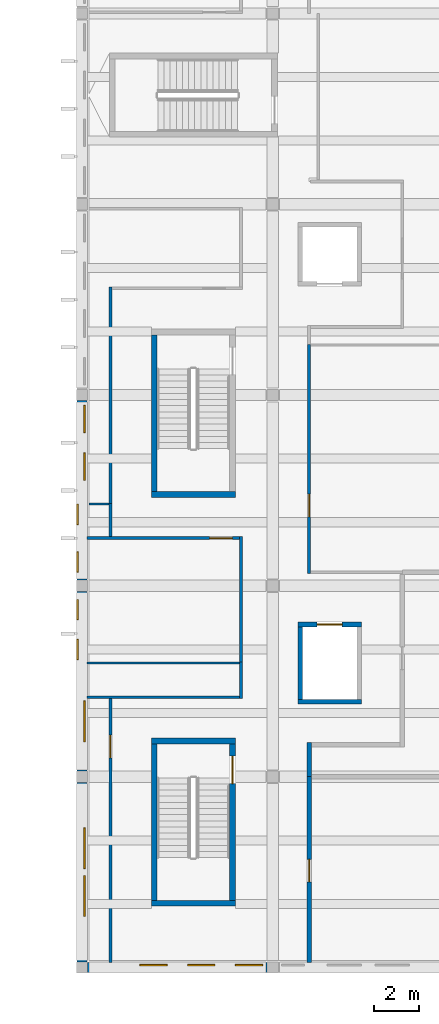
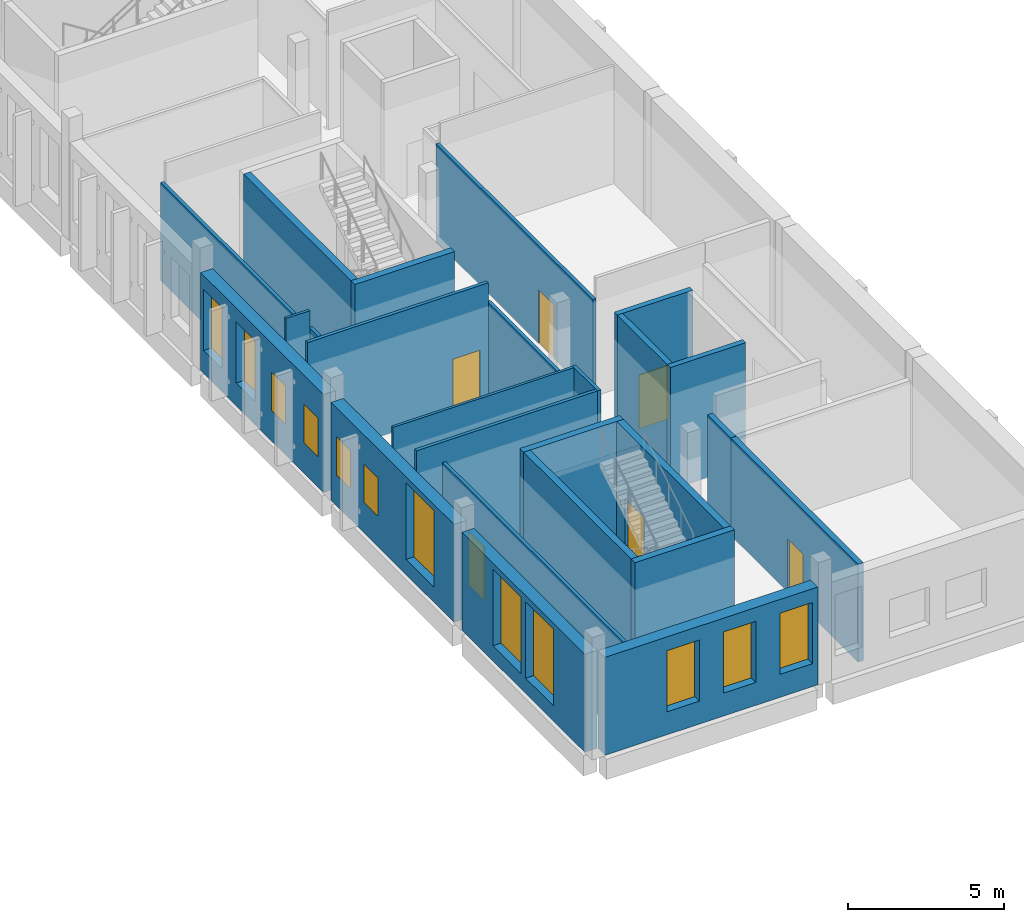
# One storey, part 15 of 79: 25 walls, 12 windows, 6 doors, 18 openings.
"""IFC4 building model written with IfcOpenShell, lengths in metres."""

import ifcopenshell
import ifcopenshell.guid

model = None  # the IFC model being written
_history = None  # IfcOwnerHistory: only IFC2X3 demands one
_inside = {}  # id of a spatial element -> (the spatial element, [elements in it])
_under = {}  # id of a project, library or spatial element -> (it, [spatial elements below it])
_declared = {}  # id of a project -> (the project, [libraries it declares])
_typed = {}  # id of a type object -> (the type object, [elements of that type])
_made_of = {}  # id of a material, layer set ... -> (it, [elements and type objects made of it])


def new_model(schema):
    """Start an empty IFC model of exactly this schema.

    Asked for "IFC4X3", IfcOpenShell would pick the latest addendum, in which some entities
    have other attributes; the version numbers below select the first issue.
    IFC2X3 requires an IfcOwnerHistory on every rooted entity: one is made here for all.
    """
    global model, _history
    if schema == "IFC4X3":
        model = ifcopenshell.file(schema_version=(4, 3, 0, 0))
    else:
        model = ifcopenshell.file(schema=schema)
    _inside.clear()
    _under.clear()
    _declared.clear()
    _typed.clear()
    _made_of.clear()
    _history = None
    if model.schema == "IFC2X3":
        org = make("IfcOrganization", Name="unknown")
        user = make(
            "IfcPersonAndOrganization",
            ThePerson=make("IfcPerson", FamilyName="unknown"),
            TheOrganization=org,
        )
        app = make(
            "IfcApplication",
            ApplicationDeveloper=org,
            Version="unknown",
            ApplicationFullName="unknown",
            ApplicationIdentifier="unknown",
        )
        _history = make(
            "IfcOwnerHistory",
            OwningUser=user,
            OwningApplication=app,
            ChangeAction="ADDED",
            CreationDate=0,
        )
    return model


def make(cls, **values):
    """One entity of the class cls with the attributes given. An attribute that is None is left unset."""
    return model.create_entity(
        cls, **{name: value for name, value in values.items() if value is not None}
    )


def rooted(cls, **values):
    """An entity with a GlobalId (a new one), such as an element, a storey or a relation."""
    return make(cls, GlobalId=ifcopenshell.guid.new(), OwnerHistory=_history, **values)


def si_unit(unit_type, name, prefix=None):
    """IfcSIUnit, for example si_unit("LENGTHUNIT", "METRE", prefix="MILLI")."""
    return make("IfcSIUnit", UnitType=unit_type, Prefix=prefix, Name=name)


def assignment(units):
    """IfcUnitAssignment: the units of a project."""
    return None if units is None else make("IfcUnitAssignment", Units=units)


def point(xyz):
    """IfcCartesianPoint."""
    return None if xyz is None else make("IfcCartesianPoint", Coordinates=xyz)


def direction(xyz):
    """IfcDirection."""
    return None if xyz is None else make("IfcDirection", DirectionRatios=xyz)


def frame(location, z_axis=None, x_axis=None):
    """IfcAxis2Placement3D, a coordinate frame: its origin and axes. An axis left out is left unset."""
    return make(
        "IfcAxis2Placement3D",
        Location=point(location),
        Axis=direction(z_axis),
        RefDirection=direction(x_axis),
    )


def frame_2d(location, x_axis=None):
    """IfcAxis2Placement2D, a coordinate frame in the plane: its origin and x axis."""
    return make(
        "IfcAxis2Placement2D", Location=point(location), RefDirection=direction(x_axis)
    )


def origin():
    """The frame at (0, 0, 0) with its axes left unset."""
    return frame((0.0, 0.0, 0.0))


def place(relative_to, where):
    """IfcLocalPlacement: puts the frame where relative to a parent placement (None: the world)."""
    return make(
        "IfcLocalPlacement", PlacementRelTo=relative_to, RelativePlacement=where
    )


def context(
    kind, dimensions, precision=None, world=None, true_north=None, identifier=None
):
    """IfcGeometricRepresentationContext, for example the 3D "Model" context."""
    return make(
        "IfcGeometricRepresentationContext",
        ContextIdentifier=identifier,
        ContextType=kind,
        CoordinateSpaceDimension=dimensions,
        Precision=precision,
        WorldCoordinateSystem=world,
        TrueNorth=true_north,
    )


def subcontext(parent, identifier, kind, view, scale=None):
    """IfcGeometricRepresentationSubContext, for example "Body" below "Model"."""
    return make(
        "IfcGeometricRepresentationSubContext",
        ContextIdentifier=identifier,
        ContextType=kind,
        ParentContext=parent,
        TargetScale=scale,
        TargetView=view,
    )


def project(units=None, contexts=None):
    """IfcProject with its units and contexts."""
    return rooted(
        "IfcProject",
        Name="project",
        RepresentationContexts=contexts,
        UnitsInContext=assignment(units),
    )


def spatial(cls, under=None, at=None, **own):
    """A site, building, storey or space (cls), placed at a placement, below another one or the project."""
    s = rooted(cls, ObjectPlacement=at, **own)
    if under is not None:
        _under.setdefault(under.id(), (under, []))[1].append(s)
    return s


def profile(cls, at=None, kind="AREA", **sizes):
    """A parametric profile (cls). Its sizes go by their IFC names, for example OverallWidth=200.0."""
    return make(cls, ProfileType=kind, Position=at, **sizes)


def rectangle(**sizes):
    """IfcRectangleProfileDef."""
    return profile("IfcRectangleProfileDef", **sizes)


def extrude(swept, where, along, depth):
    """IfcExtrudedAreaSolid: the profile swept, set in the frame where, extruded along a direction by depth."""
    return make(
        "IfcExtrudedAreaSolid",
        SweptArea=swept,
        Position=where,
        ExtrudedDirection=direction(along),
        Depth=depth,
    )


def shape(context_of_items, identifier, shape_type, items):
    """IfcShapeRepresentation: the items that make up one representation, for example the "Body"."""
    return make(
        "IfcShapeRepresentation",
        ContextOfItems=context_of_items,
        RepresentationIdentifier=identifier,
        RepresentationType=shape_type,
        Items=items,
    )


def material(Name=None, Category=None):
    """IfcMaterial."""
    return make("IfcMaterial", Name=Name, Category=Category)


def layer(
    of_material, thickness, ventilated=None, Name=None, Category=None, Priority=None
):
    """IfcMaterialLayer: one layer of a wall or slab, of a material (None: an air gap)."""
    return make(
        "IfcMaterialLayer",
        Material=of_material,
        LayerThickness=thickness,
        IsVentilated=ventilated,
        Name=Name,
        Category=Category,
        Priority=Priority,
    )


def layer_set(layers, Name=None):
    """IfcMaterialLayerSet."""
    return make("IfcMaterialLayerSet", MaterialLayers=layers, LayerSetName=Name)


def made_of(thing, what):
    """Note that an element or type object is made of a material, layer set ...; save() writes the relation."""
    if what is not None:
        _made_of.setdefault(what.id(), (what, []))[1].append(thing)
    return thing


def type_object(cls, material=None, **own):
    """A type object (cls), such as IfcWallType, which elements share."""
    return made_of(rooted(cls, **own), material)


def element(
    cls,
    number,
    at=None,
    inside=None,
    cuts=None,
    type_object=None,
    material=None,
    context=None,
    identifier="Body",
    shape_type=None,
    held_by="IfcProductDefinitionShape",
    body=None,
    shapes=None,
    **own,
):
    """One element of the class cls, such as IfcWall. Its Tag is "e" and its number.

    at: its placement. inside: the storey or other place that contains it. cuts: it is an
    opening in that element (IfcRelVoidsElement). A single representation is given by context,
    identifier, shape_type and body (its items); several are given by shapes. held_by: the class
    of the entity that holds the representations. save() writes the other relations.
    """
    e = rooted(cls, Tag="e%d" % number, ObjectPlacement=at, **own)
    if body is not None:
        shapes = [shape(context, identifier, shape_type, body)]
    if shapes is not None:
        e.Representation = make(held_by, Representations=shapes)
    if inside is not None:
        _inside.setdefault(inside.id(), (inside, []))[1].append(e)
    if cuts is not None:
        rooted(
            "IfcRelVoidsElement", RelatingBuildingElement=cuts, RelatedOpeningElement=e
        )
    if type_object is not None:
        _typed.setdefault(type_object.id(), (type_object, []))[1].append(e)
    return made_of(e, material)


def fill(opening, filler):
    """IfcRelFillsElement: the door or window that sits in an opening."""
    return rooted(
        "IfcRelFillsElement",
        RelatingOpeningElement=opening,
        RelatedBuildingElement=filler,
    )


def aggregate(whole, parts):
    """IfcRelAggregates: a whole, such as a stair, and the parts it consists of."""
    return rooted("IfcRelAggregates", RelatingObject=whole, RelatedObjects=parts)


def save(model, path):
    """Write the relations noted so far, then the file.

    IfcRelAggregates (storeys below a building ...), IfcRelContainedInSpatialStructure (elements
    in a storey), IfcRelDefinesByType, IfcRelAssociatesMaterial and IfcRelDeclares: one each for
    every whole, place, type object, material and project.
    """
    for whole, parts in _under.values():
        aggregate(whole, parts)
    for where, things in _inside.values():
        rooted(
            "IfcRelContainedInSpatialStructure",
            RelatedElements=things,
            RelatingStructure=where,
        )
    for kind, things in _typed.values():
        rooted("IfcRelDefinesByType", RelatedObjects=things, RelatingType=kind)
    for what, things in _made_of.values():
        rooted("IfcRelAssociatesMaterial", RelatedObjects=things, RelatingMaterial=what)
    for by, libraries in _declared.values():
        rooted("IfcRelDeclares", RelatingContext=by, RelatedDefinitions=libraries)
    model.write(path)


model = new_model("IFC4")

# Units and contexts
model_context = context("Model", 3, precision=1e-05, world=origin(), true_north=direction((0.0, 1.0)))
body_context = subcontext(model_context, "Body", "Model", "MODEL_VIEW")
ifc_project = project(units=[si_unit("LENGTHUNIT", "METRE"), si_unit("AREAUNIT", "SQUARE_METRE"), si_unit("VOLUMEUNIT", "CUBIC_METRE"), si_unit("PLANEANGLEUNIT", "RADIAN"), si_unit("MASSUNIT", "GRAM", prefix="KILO")], contexts=[model_context])

# Site, building, storey
site_placement = place(None, origin())
site = spatial("IfcSite", under=ifc_project, at=site_placement, CompositionType="ELEMENT")
building_placement = place(site_placement, origin())
building = spatial("IfcBuilding", under=site, at=building_placement, Name="Larchfold Concert Hall", CompositionType="ELEMENT")
storey_placement = place(building_placement, frame((0.0, 0.0, 14.39990234375)))
storey = spatial("IfcBuildingStorey", under=building, at=storey_placement, Name="L03", CompositionType="ELEMENT", Elevation=14.39990234375)

# Wall, opening, door
ifc_material_1 = material(Name="Plasterboard partition on steel studs", Category="steel")
ifc_layer_1 = layer(ifc_material_1, 0.199951171875)
ifc_layer_set_1 = layer_set([ifc_layer_1], Name="Plasterboard partition on steel studs")
wall_type_1 = type_object("IfcWallType", Name="Acoustic partition 200", PredefinedType="PARTITIONING", material=ifc_layer_set_1)
wall_1_placement = place(storey_placement, frame((94.60009765625, 0.8251953125, 0.0), z_axis=(0.0, 0.0, 1.0), x_axis=(0.0, 1.0, 0.0)))
wall_1 = element("IfcWall", 1, at=wall_1_placement, inside=storey, type_object=wall_type_1, Name="Partition IW0018", PredefinedType="PARTITIONING", context=body_context, shape_type="SweptSolid", body=[
    extrude(rectangle(XDim=8.1748046875, YDim=0.199951171875, at=frame_2d((4.08740234375, 0.0))), origin(), (0.0, 0.0, 1.0), 3.840087890625),
])
opening_1_placement = place(wall_1_placement, frame((3.5400390625, 0.0, 0.0)))
opening_1 = element("IfcOpeningElement", 2, at=opening_1_placement, cuts=wall_1, Name="Opening D-L03-108", PredefinedType="OPENING", context=body_context, shape_type="SweptSolid", body=[
    extrude(rectangle(XDim=1.0, YDim=2.10009765625, at=frame_2d((0.5, 1.050048828125))), frame((0.0, 0.10986328125, 0.0), z_axis=(0.0, -1.0, 0.0), x_axis=(1.0, 0.0, 0.0)), (0.0, 0.0, 1.0), 0.219970703125),
])
ifc_material_2 = material(Name="Timber door leaf", Category="wood")
door_type_1 = type_object("IfcDoorType", Name="Practice and studio door, acoustic 1000 x 2100 FD30S", OperationType="SINGLE_SWING_LEFT", PredefinedType="DOOR", material=ifc_material_2)
door_1_placement = place(opening_1_placement, origin())
door_1 = element("IfcDoor", 3, at=door_1_placement, inside=storey, type_object=door_type_1, Name="Door D-L03-108", OperationType="SINGLE_SWING_LEFT", OverallHeight=2.10009765625, OverallWidth=1.0, PredefinedType="DOOR", context=body_context, shape_type="SweptSolid", body=[
    extrude(rectangle(XDim=1.0, YDim=2.10009765625, at=frame_2d((0.5, 1.050048828125))), frame((0.0, 0.02490234375, 0.0), z_axis=(0.0, -1.0, 0.0), x_axis=(1.0, 0.0, 0.0)), (0.0, 0.0, 1.0), 0.050048828125),
])
fill(opening_1, door_1)

# Walls
wall_2_placement = place(storey_placement, frame((94.60009765625, 9.0, 0.0), z_axis=(0.0, 0.0, 1.0), x_axis=(0.0, 1.0, 0.0)))
element("IfcWall", 4, at=wall_2_placement, inside=storey, type_object=wall_type_1, Name="Partition IW0020", PredefinedType="PARTITIONING", context=body_context, shape_type="SweptSolid", body=[
    extrude(rectangle(XDim=1.5, YDim=0.199951171875, at=frame_2d((0.75, 0.0))), origin(), (0.0, 0.0, 1.0), 3.840087890625),
])
ifc_material_3 = material(Name="Plasterboard partition on steel studs", Category="steel")
ifc_layer_2 = layer(ifc_material_3, 0.125)
ifc_layer_set_2 = layer_set([ifc_layer_2], Name="Plasterboard partition on steel studs")
wall_type_2 = type_object("IfcWallType", Name="Corridor partition 125 EI 60", PredefinedType="PARTITIONING", material=ifc_layer_set_2)
wall_3_placement = place(storey_placement, frame((91.60009765625, 14.050048828125, 0.0), z_axis=(0.0, 0.0, 1.0), x_axis=(0.0, -1.0, 0.0)))
element("IfcWall", 5, at=wall_3_placement, inside=storey, type_object=wall_type_2, Name="Partition IW0013", PredefinedType="PARTITIONING", context=body_context, shape_type="SweptSolid", body=[
    extrude(rectangle(XDim=1.612548828125, YDim=0.125, at=frame_2d((0.80615234375, 0.0))), origin(), (0.0, 0.0, 1.0), 4.64013671875),
])
wall_4_placement = place(storey_placement, frame((91.53759765625, 12.5, 0.0), z_axis=(0.0, 0.0, 1.0), x_axis=(-1.0, 0.0, 0.0)))
element("IfcWall", 6, at=wall_4_placement, inside=storey, type_object=wall_type_2, Name="Partition IW0014", PredefinedType="PARTITIONING", context=body_context, shape_type="SweptSolid", body=[
    extrude(rectangle(XDim=6.71240234375, YDim=0.125, at=frame_2d((3.356201171875, 0.0))), origin(), (0.0, 0.0, 1.0), 4.64013671875),
])

# Wall, opening, door
wall_5_placement = place(storey_placement, frame((85.85009765625, 12.4375, 0.0), z_axis=(0.0, 0.0, 1.0), x_axis=(0.0, -1.0, 0.0)))
wall_5 = element("IfcWall", 7, at=wall_5_placement, inside=storey, type_object=wall_type_2, Name="Partition IW0015", PredefinedType="PARTITIONING", context=body_context, shape_type="SweptSolid", body=[
    extrude(rectangle(XDim=11.6123046875, YDim=0.125, at=frame_2d((5.80615234375, 0.0))), origin(), (0.0, 0.0, 1.0), 3.840087890625),
])
opening_2_placement = place(wall_5_placement, frame((1.61279296875, 0.0, 0.0)))
opening_2 = element("IfcOpeningElement", 8, at=opening_2_placement, cuts=wall_5, Name="Opening D-L03-107", PredefinedType="OPENING", context=body_context, shape_type="SweptSolid", body=[
    extrude(rectangle(XDim=1.0, YDim=2.10009765625, at=frame_2d((0.5, 1.050048828125))), frame((0.0, 0.072509765625, 0.0), z_axis=(0.0, -1.0, 0.0), x_axis=(1.0, 0.0, 0.0)), (0.0, 0.0, 1.0), 0.14501953125),
])
ifc_material_4 = material(Name="Timber door leaf", Category="wood")
door_type_2 = type_object("IfcDoorType", Name="Room door 1000 x 2100 FD30S", OperationType="SINGLE_SWING_LEFT", PredefinedType="DOOR", material=ifc_material_4)
door_2_placement = place(opening_2_placement, origin())
door_2 = element("IfcDoor", 9, at=door_2_placement, inside=storey, type_object=door_type_2, Name="Door D-L03-107", OperationType="SINGLE_SWING_RIGHT", OverallHeight=2.10009765625, OverallWidth=1.0, PredefinedType="DOOR", context=body_context, shape_type="SweptSolid", body=[
    extrude(rectangle(XDim=1.0, YDim=2.10009765625, at=frame_2d((0.5, 1.050048828125))), frame((0.0, 0.02490234375, 0.0), z_axis=(0.0, -1.0, 0.0), x_axis=(1.0, 0.0, 0.0)), (0.0, 0.0, 1.0), 0.050048828125),
])
fill(opening_2, door_2)

# Wall
wall_6_placement = place(storey_placement, frame((91.60107421875, 14.050048828125, 0.0), z_axis=(0.0, 0.0, 1.0), x_axis=(0.0, 1.0, 0.0)))
element("IfcWall", 10, at=wall_6_placement, inside=storey, type_object=wall_type_2, Name="Partition IW0023", PredefinedType="PARTITIONING", context=body_context, shape_type="SweptSolid", body=[
    extrude(rectangle(XDim=5.513427734375, YDim=0.125, at=frame_2d((2.7568359375, 0.0))), origin(), (0.0, 0.0, 1.0), 3.840087890625),
])

# Wall, opening, door
wall_7_placement = place(storey_placement, frame((91.53857421875, 19.5009765625, 0.0), z_axis=(0.0, 0.0, 1.0), x_axis=(-1.0, 0.0, 0.0)))
wall_7 = element("IfcWall", 11, at=wall_7_placement, inside=storey, type_object=wall_type_2, Name="Partition IW0024", PredefinedType="PARTITIONING", context=body_context, shape_type="SweptSolid", body=[
    extrude(rectangle(XDim=6.71337890625, YDim=0.125, at=frame_2d((3.356689453125, 0.0))), origin(), (0.0, 0.0, 1.0), 4.64013671875),
])
opening_3_placement = place(wall_7_placement, frame((0.322998046875, 0.0, 0.0)))
opening_3 = element("IfcOpeningElement", 12, at=opening_3_placement, cuts=wall_7, Name="Opening D-L03-110", PredefinedType="OPENING", context=body_context, shape_type="SweptSolid", body=[
    extrude(rectangle(XDim=1.0, YDim=2.10009765625, at=frame_2d((0.5, 1.050048828125))), frame((0.0, 0.072509765625, 0.0), z_axis=(0.0, -1.0, 0.0), x_axis=(1.0, 0.0, 0.0)), (0.0, 0.0, 1.0), 0.14501953125),
])
door_3_placement = place(opening_3_placement, origin())
door_3 = element("IfcDoor", 13, at=door_3_placement, inside=storey, type_object=door_type_2, Name="Door D-L03-110", OperationType="SINGLE_SWING_LEFT", OverallHeight=2.10009765625, OverallWidth=1.0, PredefinedType="DOOR", context=body_context, shape_type="SweptSolid", body=[
    extrude(rectangle(XDim=1.0, YDim=2.10009765625, at=frame_2d((0.5, 1.050048828125))), frame((0.0, 0.02490234375, 0.0), z_axis=(0.0, -1.0, 0.0), x_axis=(1.0, 0.0, 0.0)), (0.0, 0.0, 1.0), 0.050048828125),
])
fill(opening_3, door_3)

# Wall
wall_8_placement = place(storey_placement, frame((85.85107421875, 19.5634765625, 0.0), z_axis=(0.0, 0.0, 1.0), x_axis=(0.0, 1.0, 0.0)))
element("IfcWall", 14, at=wall_8_placement, inside=storey, type_object=wall_type_2, Name="Partition IW0025", PredefinedType="PARTITIONING", context=body_context, shape_type="SweptSolid", body=[
    extrude(rectangle(XDim=1.45654296875, YDim=0.125, at=frame_2d((0.728271484375, 0.0))), origin(), (0.0, 0.0, 1.0), 3.93994140625),
])

# Wall, opening, door
wall_9_placement = place(storey_placement, frame((94.59912109375, 28.02001953125, 0.0), z_axis=(0.0, 0.0, 1.0), x_axis=(0.0, -1.0, 0.0)))
wall_9 = element("IfcWall", 15, at=wall_9_placement, inside=storey, type_object=wall_type_2, Name="Partition IW0026", PredefinedType="PARTITIONING", context=body_context, shape_type="SweptSolid", body=[
    extrude(rectangle(XDim=10.08251953125, YDim=0.125, at=frame_2d((5.041259765625, 0.0))), origin(), (0.0, 0.0, 1.0), 3.840087890625),
])
opening_4_placement = place(wall_9_placement, frame((6.57958984375, 0.0, 0.0)))
opening_4 = element("IfcOpeningElement", 16, at=opening_4_placement, cuts=wall_9, Name="Opening D-L03-111", PredefinedType="OPENING", context=body_context, shape_type="SweptSolid", body=[
    extrude(rectangle(XDim=1.0, YDim=2.10009765625, at=frame_2d((0.5, 1.050048828125))), frame((0.0, 0.072509765625, 0.0), z_axis=(0.0, -1.0, 0.0), x_axis=(1.0, 0.0, 0.0)), (0.0, 0.0, 1.0), 0.14501953125),
])
door_4_placement = place(opening_4_placement, origin())
door_4 = element("IfcDoor", 17, at=door_4_placement, inside=storey, type_object=door_type_2, Name="Door D-L03-111", OperationType="SINGLE_SWING_LEFT", OverallHeight=2.10009765625, OverallWidth=1.0, PredefinedType="DOOR", context=body_context, shape_type="SweptSolid", body=[
    extrude(rectangle(XDim=1.0, YDim=2.10009765625, at=frame_2d((0.5, 1.050048828125))), frame((0.0, 0.02490234375, 0.0), z_axis=(0.0, -1.0, 0.0), x_axis=(1.0, 0.0, 0.0)), (0.0, 0.0, 1.0), 0.050048828125),
])
fill(opening_4, door_4)

# Walls
wall_10_placement = place(storey_placement, frame((85.85107421875, 21.02001953125, 0.0), z_axis=(0.0, 0.0, 1.0), x_axis=(0.0, 1.0, 0.0)))
element("IfcWall", 18, at=wall_10_placement, inside=storey, type_object=wall_type_2, Name="Partition IW0028", PredefinedType="PARTITIONING", context=body_context, shape_type="SweptSolid", body=[
    extrude(rectangle(XDim=9.54150390625, YDim=0.125, at=frame_2d((4.770751953125, 0.0))), origin(), (0.0, 0.0, 1.0), 3.840087890625),
])
ifc_material_5 = material(Name="Plasterboard partition on steel studs", Category="steel")
ifc_layer_3 = layer(ifc_material_5, 0.10009765625)
ifc_layer_set_3 = layer_set([ifc_layer_3], Name="Plasterboard partition on steel studs")
wall_type_3 = type_object("IfcWallType", Name="Stud partition 100", PredefinedType="PARTITIONING", material=ifc_layer_set_3)
wall_11_placement = place(storey_placement, frame((84.8251953125, 14.0, 0.0), z_axis=(0.0, 0.0, 1.0), x_axis=(1.0, 0.0, 0.0)))
element("IfcWall", 19, at=wall_11_placement, inside=storey, type_object=wall_type_3, Name="Partition IW0016", PredefinedType="PARTITIONING", context=body_context, shape_type="SweptSolid", body=[
    extrude(rectangle(XDim=6.71240234375, YDim=0.10009765625, at=frame_2d((3.356201171875, 0.0))), origin(), (0.0, 0.0, 1.0), 4.64013671875),
])
wall_12_placement = place(storey_placement, frame((84.89990234375, 21.0, 0.0), z_axis=(0.0, 0.0, 1.0), x_axis=(1.0, 0.0, 0.0)))
element("IfcWall", 20, at=wall_12_placement, inside=storey, type_object=wall_type_3, Name="Partition IW0041", PredefinedType="PARTITIONING", context=body_context, shape_type="SweptSolid", body=[
    extrude(rectangle(XDim=0.885009765625, YDim=0.10009765625, at=frame_2d((0.4423828125, 0.0))), origin(), (0.0, 0.0, 1.0), 4.64013671875),
])
ifc_material_6 = material(Name="Concrete C40/50", Category="concrete")
ifc_layer_4 = layer(ifc_material_6, 0.199951171875)
ifc_layer_set_4 = layer_set([ifc_layer_4], Name="Concrete C40/50")
wall_type_4 = type_object("IfcWallType", Name="Wall RC 200 lift shaft", PredefinedType="SOLIDWALL", material=ifc_layer_set_4)
wall_13_placement = place(storey_placement, frame((94.10009765625, 12.300048828125, 0.0), z_axis=(0.0, 0.0, 1.0), x_axis=(1.0, 0.0, 0.0)))
element("IfcWall", 21, at=wall_13_placement, inside=storey, type_object=wall_type_4, Name="Wall W0130", PredefinedType="SOLIDWALL", context=body_context, shape_type="SweptSolid", body=[
    extrude(rectangle(XDim=2.7998046875, YDim=0.199951171875, at=frame_2d((1.39990234375, 0.0))), origin(), (0.0, 0.0, 1.0), 4.800048828125),
])

# Wall, opening, door
wall_14_placement = place(storey_placement, frame((94.10009765625, 15.699951171875, 0.0), z_axis=(0.0, 0.0, 1.0), x_axis=(1.0, 0.0, 0.0)))
wall_14 = element("IfcWall", 22, at=wall_14_placement, inside=storey, type_object=wall_type_4, Name="Wall W0131", PredefinedType="SOLIDWALL", context=body_context, shape_type="SweptSolid", body=[
    extrude(rectangle(XDim=2.7998046875, YDim=0.199951171875, at=frame_2d((1.39990234375, 0.0))), origin(), (0.0, 0.0, 1.0), 4.800048828125),
])
opening_5_placement = place(wall_14_placement, frame((0.849853515625, 0.0, 0.0)))
opening_5 = element("IfcOpeningElement", 23, at=opening_5_placement, cuts=wall_14, Name="Opening LD-LF06", PredefinedType="OPENING", context=body_context, shape_type="SweptSolid", body=[
    extrude(rectangle(XDim=1.10009765625, YDim=2.10009765625, at=frame_2d((0.550048828125, 1.050048828125))), frame((0.0, 0.10986328125, 0.0), z_axis=(0.0, -1.0, 0.0), x_axis=(1.0, 0.0, 0.0)), (0.0, 0.0, 1.0), 0.219970703125),
])
ifc_material_7 = material(Name="Stainless steel sliding leaves", Category="steel")
door_type_3 = type_object("IfcDoorType", Name="Lift landing door sliding 1100 x 2100", OperationType="SLIDING_TO_LEFT", PredefinedType="DOOR", material=ifc_material_7)
door_5_placement = place(opening_5_placement, origin())
door_5 = element("IfcDoor", 24, at=door_5_placement, inside=storey, type_object=door_type_3, Name="Lift landing door LF06", OperationType="SLIDING_TO_LEFT", OverallHeight=2.10009765625, OverallWidth=1.10009765625, PredefinedType="DOOR", context=body_context, shape_type="SweptSolid", body=[
    extrude(rectangle(XDim=1.10009765625, YDim=2.10009765625, at=frame_2d((0.550048828125, 1.050048828125))), frame((0.0, 0.02490234375, 0.0), z_axis=(0.0, -1.0, 0.0), x_axis=(1.0, 0.0, 0.0)), (0.0, 0.0, 1.0), 0.050048828125),
])
fill(opening_5, door_5)

# Walls
wall_15_placement = place(storey_placement, frame((94.2001953125, 12.39990234375, 0.0), z_axis=(0.0, 0.0, 1.0), x_axis=(0.0, 1.0, 0.0)))
element("IfcWall", 25, at=wall_15_placement, inside=storey, type_object=wall_type_4, Name="Wall W0132", PredefinedType="SOLIDWALL", context=body_context, shape_type="SweptSolid", body=[
    extrude(rectangle(XDim=3.2001953125, YDim=0.199951171875, at=frame_2d((1.60009765625, 0.0))), origin(), (0.0, 0.0, 1.0), 4.800048828125),
])
ifc_material_8 = material(Name="Concrete C40/50", Category="concrete")
ifc_layer_5 = layer(ifc_material_8, 0.25)
ifc_layer_set_5 = layer_set([ifc_layer_5], Name="Concrete C40/50")
wall_type_5 = type_object("IfcWallType", Name="Wall RC 250 stair core", PredefinedType="SOLIDWALL", material=ifc_layer_set_5)
for number, where, z_axis, x_axis, name in (
    (26, (87.64990234375, 3.425048828125, 0.0), (0.0, 0.0, 1.0), (1.0, 0.0, 0.0), "Wall W0078"),
    (27, (87.64990234375, 10.574951171875, 0.0), (0.0, 0.0, 1.0), (1.0, 0.0, 0.0), "Wall W0079"),
):
    element("IfcWall", number, at=place(storey_placement, frame(where, z_axis=z_axis, x_axis=x_axis)), inside=storey, type_object=wall_type_5, Name=name, PredefinedType="SOLIDWALL", context=body_context, shape_type="SweptSolid", body=[
        extrude(rectangle(XDim=3.7001953125, YDim=0.25, at=frame_2d((1.85009765625, 0.0))), origin(), (0.0, 0.0, 1.0), 4.800048828125),
    ])
wall_16_placement = place(storey_placement, frame((87.77490234375, 3.550048828125, 0.0), z_axis=(0.0, 0.0, 1.0), x_axis=(0.0, 1.0, 0.0)))
element("IfcWall", 28, at=wall_16_placement, inside=storey, type_object=wall_type_5, Name="Wall W0080", PredefinedType="SOLIDWALL", context=body_context, shape_type="SweptSolid", body=[
    extrude(rectangle(XDim=6.89990234375, YDim=0.25, at=frame_2d((3.449951171875, 0.0))), origin(), (0.0, 0.0, 1.0), 4.800048828125),
])

# Wall, opening, door
wall_17_placement = place(storey_placement, frame((91.22509765625, 3.550048828125, 0.0), z_axis=(0.0, 0.0, 1.0), x_axis=(0.0, 1.0, 0.0)))
wall_17 = element("IfcWall", 29, at=wall_17_placement, inside=storey, type_object=wall_type_5, Name="Wall W0081", PredefinedType="SOLIDWALL", context=body_context, shape_type="SweptSolid", body=[
    extrude(rectangle(XDim=6.89990234375, YDim=0.25, at=frame_2d((3.449951171875, 0.0))), origin(), (0.0, 0.0, 1.0), 4.800048828125),
])
opening_6_placement = place(wall_17_placement, frame((5.14990234375, 0.0, 0.0)))
opening_6 = element("IfcOpeningElement", 30, at=opening_6_placement, cuts=wall_17, Name="Opening D-L03-141", PredefinedType="OPENING", context=body_context, shape_type="SweptSolid", body=[
    extrude(rectangle(XDim=1.199951171875, YDim=2.10009765625, at=frame_2d((0.60009765625, 1.050048828125))), frame((0.0, 0.135009765625, 0.0), z_axis=(0.0, -1.0, 0.0), x_axis=(1.0, 0.0, 0.0)), (0.0, 0.0, 1.0), 0.27001953125),
])
ifc_material_9 = material(Name="Timber door leaf", Category="wood")
door_type_4 = type_object("IfcDoorType", Name="Stair enclosure door pair 1200 x 2100 FD60", OperationType="SINGLE_SWING_LEFT", PredefinedType="DOOR", material=ifc_material_9)
door_6_placement = place(opening_6_placement, origin())
door_6 = element("IfcDoor", 31, at=door_6_placement, inside=storey, type_object=door_type_4, Name="Door D-L03-141", OperationType="DOUBLE_DOOR_SINGLE_SWING", OverallHeight=2.10009765625, OverallWidth=1.199951171875, PredefinedType="DOOR", context=body_context, shape_type="SweptSolid", body=[
    extrude(rectangle(XDim=1.199951171875, YDim=2.10009765625, at=frame_2d((0.60009765625, 1.050048828125))), frame((0.0, 0.02490234375, 0.0), z_axis=(0.0, -1.0, 0.0), x_axis=(1.0, 0.0, 0.0)), (0.0, 0.0, 1.0), 0.050048828125),
])
fill(opening_6, door_6)

# Walls
wall_18_placement = place(storey_placement, frame((87.64990234375, 21.425048828125, 0.0), z_axis=(0.0, 0.0, 1.0), x_axis=(1.0, 0.0, 0.0)))
element("IfcWall", 32, at=wall_18_placement, inside=storey, type_object=wall_type_5, Name="Wall W0082", PredefinedType="SOLIDWALL", context=body_context, shape_type="SweptSolid", body=[
    extrude(rectangle(XDim=3.7001953125, YDim=0.25, at=frame_2d((1.85009765625, 0.0))), origin(), (0.0, 0.0, 1.0), 4.800048828125),
])
wall_19_placement = place(storey_placement, frame((87.77490234375, 21.550048828125, 0.0), z_axis=(0.0, 0.0, 1.0), x_axis=(0.0, 1.0, 0.0)))
element("IfcWall", 33, at=wall_19_placement, inside=storey, type_object=wall_type_5, Name="Wall W0084", PredefinedType="SOLIDWALL", context=body_context, shape_type="SweptSolid", body=[
    extrude(rectangle(XDim=6.89990234375, YDim=0.25, at=frame_2d((3.449951171875, 0.0))), origin(), (0.0, 0.0, 1.0), 4.800048828125),
])

# Wall, openings, windows
ifc_material_10 = material(Name="White render on mineral wool and block")
ifc_layer_6 = layer(ifc_material_10, 0.449951171875)
ifc_layer_set_6 = layer_set([ifc_layer_6], Name="White render on mineral wool and block")
wall_type_6 = type_object("IfcWallType", Name="White render infill wall 450", PredefinedType="SOLIDWALL", material=ifc_layer_set_6)
wall_20_placement = place(storey_placement, frame((84.60009765625, 25.550048828125, 0.0), z_axis=(0.0, 0.0, 1.0), x_axis=(0.0, -1.0, 0.0)))
wall_20 = element("IfcWall", 34, at=wall_20_placement, inside=storey, type_object=wall_type_6, Name="Infill wall W5161", PredefinedType="SOLIDWALL", context=body_context, shape_type="SweptSolid", body=[
    extrude(rectangle(XDim=7.900146484375, YDim=0.449951171875, at=frame_2d((3.9501953125, 0.0))), origin(), (0.0, 0.0, 1.0), 3.840087890625),
])
opening_7_placement = place(wall_20_placement, frame((6.650146484375, 0.0, 1.199951171875)))
opening_7 = element("IfcOpeningElement", 35, at=opening_7_placement, cuts=wall_20, Name="Opening WN-L03-079", PredefinedType="OPENING", context=body_context, shape_type="SweptSolid", body=[
    extrude(rectangle(XDim=0.89990234375, YDim=1.5, at=frame_2d((0.449951171875, 0.75))), frame((0.0, 0.23486328125, 0.0), z_axis=(0.0, -1.0, 0.0), x_axis=(1.0, 0.0, 0.0)), (0.0, 0.0, 1.0), 0.469970703125),
])
opening_8_placement = place(wall_20_placement, frame((4.550048828125, 0.0, 1.199951171875)))
opening_8 = element("IfcOpeningElement", 36, at=opening_8_placement, cuts=wall_20, Name="Opening WN-L03-080", PredefinedType="OPENING", context=body_context, shape_type="SweptSolid", body=[
    extrude(rectangle(XDim=0.89990234375, YDim=1.5, at=frame_2d((0.449951171875, 0.75))), frame((0.0, 0.23486328125, 0.0), z_axis=(0.0, -1.0, 0.0), x_axis=(1.0, 0.0, 0.0)), (0.0, 0.0, 1.0), 0.469970703125),
])
opening_9_placement = place(wall_20_placement, frame((2.300048828125, 0.0, 0.89990234375)))
opening_9 = element("IfcOpeningElement", 37, at=opening_9_placement, cuts=wall_20, Name="Opening WN-L03-081", PredefinedType="OPENING", context=body_context, shape_type="SweptSolid", body=[
    extrude(rectangle(XDim=1.199951171875, YDim=2.39990234375, at=frame_2d((0.60009765625, 1.199951171875))), frame((0.0, 0.23486328125, 0.0), z_axis=(0.0, -1.0, 0.0), x_axis=(1.0, 0.0, 0.0)), (0.0, 0.0, 1.0), 0.469970703125),
])
opening_10_placement = place(wall_20_placement, frame((0.199951171875, 0.0, 0.89990234375)))
opening_10 = element("IfcOpeningElement", 38, at=opening_10_placement, cuts=wall_20, Name="Opening WN-L03-082", PredefinedType="OPENING", context=body_context, shape_type="SweptSolid", body=[
    extrude(rectangle(XDim=1.199951171875, YDim=2.39990234375, at=frame_2d((0.60009765625, 1.199951171875))), frame((0.0, 0.23486328125, 0.0), z_axis=(0.0, -1.0, 0.0), x_axis=(1.0, 0.0, 0.0)), (0.0, 0.0, 1.0), 0.469970703125),
])
ifc_material_11 = material(Name="Anodised graphite aluminium frame with glass", Category="aluminium")
window_type_1 = type_object("IfcWindowType", Name="Slot window 1200x2400", PartitioningType="SINGLE_PANEL", PredefinedType="WINDOW", material=ifc_material_11)
window_1_placement = place(opening_9_placement, origin())
window_1 = element("IfcWindow", 39, at=window_1_placement, inside=storey, type_object=window_type_1, Name="Window WN-L03-081", OverallHeight=2.39990234375, OverallWidth=1.199951171875, PartitioningType="SINGLE_PANEL", PredefinedType="WINDOW", context=body_context, shape_type="SweptSolid", body=[
    extrude(rectangle(XDim=1.199951171875, YDim=2.39990234375, at=frame_2d((0.60009765625, 1.199951171875))), frame((0.0, 0.135009765625, 0.0), z_axis=(0.0, -1.0, 0.0), x_axis=(1.0, 0.0, 0.0)), (0.0, 0.0, 1.0), 0.06005859375),
])
fill(opening_9, window_1)
window_2_placement = place(opening_10_placement, origin())
window_2 = element("IfcWindow", 40, at=window_2_placement, inside=storey, type_object=window_type_1, Name="Window WN-L03-082", OverallHeight=2.39990234375, OverallWidth=1.199951171875, PartitioningType="SINGLE_PANEL", PredefinedType="WINDOW", context=body_context, shape_type="SweptSolid", body=[
    extrude(rectangle(XDim=1.199951171875, YDim=2.39990234375, at=frame_2d((0.60009765625, 1.199951171875))), frame((0.0, 0.135009765625, 0.0), z_axis=(0.0, -1.0, 0.0), x_axis=(1.0, 0.0, 0.0)), (0.0, 0.0, 1.0), 0.06005859375),
])
fill(opening_10, window_2)
ifc_material_12 = material(Name="Anodised graphite aluminium frame with glass", Category="aluminium")
window_type_2 = type_object("IfcWindowType", Name="Vent window 900x1500", PartitioningType="SINGLE_PANEL", PredefinedType="WINDOW", material=ifc_material_12)
window_3_placement = place(opening_7_placement, origin())
window_3 = element("IfcWindow", 41, at=window_3_placement, inside=storey, type_object=window_type_2, Name="Window WN-L03-079", OverallHeight=1.5, OverallWidth=0.89990234375, PartitioningType="SINGLE_PANEL", PredefinedType="WINDOW", context=body_context, shape_type="SweptSolid", body=[
    extrude(rectangle(XDim=0.89990234375, YDim=1.5, at=frame_2d((0.449951171875, 0.75))), frame((0.0, -0.1650390625, 0.0), z_axis=(0.0, -1.0, 0.0), x_axis=(1.0, 0.0, 0.0)), (0.0, 0.0, 1.0), 0.06005859375),
])
fill(opening_7, window_3)
window_4_placement = place(opening_8_placement, origin())
window_4 = element("IfcWindow", 42, at=window_4_placement, inside=storey, type_object=window_type_2, Name="Window WN-L03-080", OverallHeight=1.5, OverallWidth=0.89990234375, PartitioningType="SINGLE_PANEL", PredefinedType="WINDOW", context=body_context, shape_type="SweptSolid", body=[
    extrude(rectangle(XDim=0.89990234375, YDim=1.5, at=frame_2d((0.449951171875, 0.75))), frame((0.0, -0.1650390625, 0.0), z_axis=(0.0, -1.0, 0.0), x_axis=(1.0, 0.0, 0.0)), (0.0, 0.0, 1.0), 0.06005859375),
])
fill(opening_8, window_4)

wall_21_placement = place(storey_placement, frame((84.60009765625, 17.14990234375, 0.0), z_axis=(0.0, 0.0, 1.0), x_axis=(0.0, -1.0, 0.0)))
wall_21 = element("IfcWall", 43, at=wall_21_placement, inside=storey, type_object=wall_type_6, Name="Infill wall W5162", PredefinedType="SOLIDWALL", context=body_context, shape_type="SweptSolid", body=[
    extrude(rectangle(XDim=7.89990234375, YDim=0.449951171875, at=frame_2d((3.949951171875, 0.0))), origin(), (0.0, 0.0, 1.0), 3.840087890625),
])
opening_11_placement = place(wall_21_placement, frame((4.81494140625, 0.0, 0.60009765625)))
opening_11 = element("IfcOpeningElement", 44, at=opening_11_placement, cuts=wall_21, Name="Opening WN-L03-083", PredefinedType="OPENING", context=body_context, shape_type="SweptSolid", body=[
    extrude(rectangle(XDim=1.800048828125, YDim=3.0, at=frame_2d((0.89990234375, 1.5))), frame((0.0, 0.23486328125, 0.0), z_axis=(0.0, -1.0, 0.0), x_axis=(1.0, 0.0, 0.0)), (0.0, 0.0, 1.0), 0.469970703125),
])
opening_12_placement = place(wall_21_placement, frame((2.099853515625, 0.0, 1.199951171875)))
opening_12 = element("IfcOpeningElement", 45, at=opening_12_placement, cuts=wall_21, Name="Opening WN-L03-084", PredefinedType="OPENING", context=body_context, shape_type="SweptSolid", body=[
    extrude(rectangle(XDim=0.89990234375, YDim=1.5, at=frame_2d((0.449951171875, 0.75))), frame((0.0, 0.23486328125, 0.0), z_axis=(0.0, -1.0, 0.0), x_axis=(1.0, 0.0, 0.0)), (0.0, 0.0, 1.0), 0.469970703125),
])
opening_13_placement = place(wall_21_placement, frame((0.349853515625, 0.0, 1.199951171875)))
opening_13 = element("IfcOpeningElement", 46, at=opening_13_placement, cuts=wall_21, Name="Opening WN-L03-085", PredefinedType="OPENING", context=body_context, shape_type="SweptSolid", body=[
    extrude(rectangle(XDim=0.89990234375, YDim=1.5, at=frame_2d((0.449951171875, 0.75))), frame((0.0, 0.23486328125, 0.0), z_axis=(0.0, -1.0, 0.0), x_axis=(1.0, 0.0, 0.0)), (0.0, 0.0, 1.0), 0.469970703125),
])
ifc_material_13 = material(Name="Anodised graphite aluminium frame with glass", Category="aluminium")
window_type_3 = type_object("IfcWindowType", Name="Foyer tall window 1800x3000", PartitioningType="DOUBLE_PANEL_VERTICAL", PredefinedType="WINDOW", material=ifc_material_13)
window_5_placement = place(opening_11_placement, origin())
window_5 = element("IfcWindow", 47, at=window_5_placement, inside=storey, type_object=window_type_3, Name="Window WN-L03-083", OverallHeight=3.0, OverallWidth=1.800048828125, PartitioningType="DOUBLE_PANEL_VERTICAL", PredefinedType="WINDOW", context=body_context, shape_type="SweptSolid", body=[
    extrude(rectangle(XDim=1.800048828125, YDim=3.0, at=frame_2d((0.89990234375, 1.5))), frame((0.0, 0.135009765625, 0.0), z_axis=(0.0, -1.0, 0.0), x_axis=(1.0, 0.0, 0.0)), (0.0, 0.0, 1.0), 0.06005859375),
])
fill(opening_11, window_5)
window_6_placement = place(opening_12_placement, origin())
window_6 = element("IfcWindow", 48, at=window_6_placement, inside=storey, type_object=window_type_2, Name="Window WN-L03-084", OverallHeight=1.5, OverallWidth=0.89990234375, PartitioningType="SINGLE_PANEL", PredefinedType="WINDOW", context=body_context, shape_type="SweptSolid", body=[
    extrude(rectangle(XDim=0.89990234375, YDim=1.5, at=frame_2d((0.449951171875, 0.75))), frame((0.0, -0.1650390625, 0.0), z_axis=(0.0, -1.0, 0.0), x_axis=(1.0, 0.0, 0.0)), (0.0, 0.0, 1.0), 0.06005859375),
])
fill(opening_12, window_6)
window_7_placement = place(opening_13_placement, origin())
window_7 = element("IfcWindow", 49, at=window_7_placement, inside=storey, type_object=window_type_2, Name="Window WN-L03-085", OverallHeight=1.5, OverallWidth=0.89990234375, PartitioningType="SINGLE_PANEL", PredefinedType="WINDOW", context=body_context, shape_type="SweptSolid", body=[
    extrude(rectangle(XDim=0.89990234375, YDim=1.5, at=frame_2d((0.449951171875, 0.75))), frame((0.0, -0.1650390625, 0.0), z_axis=(0.0, -1.0, 0.0), x_axis=(1.0, 0.0, 0.0)), (0.0, 0.0, 1.0), 0.06005859375),
])
fill(opening_13, window_7)

wall_22_placement = place(storey_placement, frame((84.60009765625, 8.75, 0.0), z_axis=(0.0, 0.0, 1.0), x_axis=(0.0, -1.0, 0.0)))
wall_22 = element("IfcWall", 50, at=wall_22_placement, inside=storey, type_object=wall_type_6, Name="Infill wall W5163", PredefinedType="SOLIDWALL", context=body_context, shape_type="SweptSolid", body=[
    extrude(rectangle(XDim=7.89990234375, YDim=0.449951171875, at=frame_2d((3.949951171875, 0.0))), origin(), (0.0, 0.0, 1.0), 3.840087890625),
])
opening_14_placement = place(wall_22_placement, frame((4.10009765625, 0.0, 0.60009765625)))
opening_14 = element("IfcOpeningElement", 51, at=opening_14_placement, cuts=wall_22, Name="Opening WN-L03-086", PredefinedType="OPENING", context=body_context, shape_type="SweptSolid", body=[
    extrude(rectangle(XDim=1.800048828125, YDim=3.0, at=frame_2d((0.89990234375, 1.5))), frame((0.0, 0.23486328125, 0.0), z_axis=(0.0, -1.0, 0.0), x_axis=(1.0, 0.0, 0.0)), (0.0, 0.0, 1.0), 0.469970703125),
])
opening_15_placement = place(wall_22_placement, frame((2.0, 0.0, 0.60009765625)))
opening_15 = element("IfcOpeningElement", 52, at=opening_15_placement, cuts=wall_22, Name="Opening WN-L03-087", PredefinedType="OPENING", context=body_context, shape_type="SweptSolid", body=[
    extrude(rectangle(XDim=1.800048828125, YDim=3.0, at=frame_2d((0.89990234375, 1.5))), frame((0.0, 0.23486328125, 0.0), z_axis=(0.0, -1.0, 0.0), x_axis=(1.0, 0.0, 0.0)), (0.0, 0.0, 1.0), 0.469970703125),
])
window_8_placement = place(opening_14_placement, origin())
window_8 = element("IfcWindow", 53, at=window_8_placement, inside=storey, type_object=window_type_3, Name="Window WN-L03-086", OverallHeight=3.0, OverallWidth=1.800048828125, PartitioningType="DOUBLE_PANEL_VERTICAL", PredefinedType="WINDOW", context=body_context, shape_type="SweptSolid", body=[
    extrude(rectangle(XDim=1.800048828125, YDim=3.0, at=frame_2d((0.89990234375, 1.5))), frame((0.0, 0.135009765625, 0.0), z_axis=(0.0, -1.0, 0.0), x_axis=(1.0, 0.0, 0.0)), (0.0, 0.0, 1.0), 0.06005859375),
])
fill(opening_14, window_8)
window_9_placement = place(opening_15_placement, origin())
window_9 = element("IfcWindow", 54, at=window_9_placement, inside=storey, type_object=window_type_3, Name="Window WN-L03-087", OverallHeight=3.0, OverallWidth=1.800048828125, PartitioningType="DOUBLE_PANEL_VERTICAL", PredefinedType="WINDOW", context=body_context, shape_type="SweptSolid", body=[
    extrude(rectangle(XDim=1.800048828125, YDim=3.0, at=frame_2d((0.89990234375, 1.5))), frame((0.0, 0.135009765625, 0.0), z_axis=(0.0, -1.0, 0.0), x_axis=(1.0, 0.0, 0.0)), (0.0, 0.0, 1.0), 0.06005859375),
])
fill(opening_15, window_9)

wall_23_placement = place(storey_placement, frame((84.85009765625, 0.60009765625, 0.0), z_axis=(0.0, 0.0, 1.0), x_axis=(1.0, 0.0, 0.0)))
wall_23 = element("IfcWall", 55, at=wall_23_placement, inside=storey, type_object=wall_type_6, Name="Infill wall W5164", PredefinedType="SOLIDWALL", context=body_context, shape_type="SweptSolid", body=[
    extrude(rectangle(XDim=7.89990234375, YDim=0.449951171875, at=frame_2d((3.949951171875, 0.0))), origin(), (0.0, 0.0, 1.0), 3.840087890625),
])
opening_16_placement = place(wall_23_placement, frame((2.2998046875, 0.0, 0.89990234375)))
opening_16 = element("IfcOpeningElement", 56, at=opening_16_placement, cuts=wall_23, Name="Opening WN-L03-088", PredefinedType="OPENING", context=body_context, shape_type="SweptSolid", body=[
    extrude(rectangle(XDim=1.199951171875, YDim=2.39990234375, at=frame_2d((0.60009765625, 1.199951171875))), frame((0.0, 0.23486328125, 0.0), z_axis=(0.0, -1.0, 0.0), x_axis=(1.0, 0.0, 0.0)), (0.0, 0.0, 1.0), 0.469970703125),
])
opening_17_placement = place(wall_23_placement, frame((4.39990234375, 0.0, 0.89990234375)))
opening_17 = element("IfcOpeningElement", 57, at=opening_17_placement, cuts=wall_23, Name="Opening WN-L03-089", PredefinedType="OPENING", context=body_context, shape_type="SweptSolid", body=[
    extrude(rectangle(XDim=1.199951171875, YDim=2.39990234375, at=frame_2d((0.60009765625, 1.199951171875))), frame((0.0, 0.23486328125, 0.0), z_axis=(0.0, -1.0, 0.0), x_axis=(1.0, 0.0, 0.0)), (0.0, 0.0, 1.0), 0.469970703125),
])
opening_18_placement = place(wall_23_placement, frame((6.5, 0.0, 0.89990234375)))
opening_18 = element("IfcOpeningElement", 58, at=opening_18_placement, cuts=wall_23, Name="Opening WN-L03-090", PredefinedType="OPENING", context=body_context, shape_type="SweptSolid", body=[
    extrude(rectangle(XDim=1.199951171875, YDim=2.39990234375, at=frame_2d((0.60009765625, 1.199951171875))), frame((0.0, 0.23486328125, 0.0), z_axis=(0.0, -1.0, 0.0), x_axis=(1.0, 0.0, 0.0)), (0.0, 0.0, 1.0), 0.469970703125),
])
window_10_placement = place(opening_16_placement, origin())
window_10 = element("IfcWindow", 59, at=window_10_placement, inside=storey, type_object=window_type_1, Name="Window WN-L03-088", OverallHeight=2.39990234375, OverallWidth=1.199951171875, PartitioningType="SINGLE_PANEL", PredefinedType="WINDOW", context=body_context, shape_type="SweptSolid", body=[
    extrude(rectangle(XDim=1.199951171875, YDim=2.39990234375, at=frame_2d((0.60009765625, 1.199951171875))), frame((0.0, 0.135009765625, 0.0), z_axis=(0.0, -1.0, 0.0), x_axis=(1.0, 0.0, 0.0)), (0.0, 0.0, 1.0), 0.06005859375),
])
fill(opening_16, window_10)
window_11_placement = place(opening_17_placement, origin())
window_11 = element("IfcWindow", 60, at=window_11_placement, inside=storey, type_object=window_type_1, Name="Window WN-L03-089", OverallHeight=2.39990234375, OverallWidth=1.199951171875, PartitioningType="SINGLE_PANEL", PredefinedType="WINDOW", context=body_context, shape_type="SweptSolid", body=[
    extrude(rectangle(XDim=1.199951171875, YDim=2.39990234375, at=frame_2d((0.60009765625, 1.199951171875))), frame((0.0, 0.135009765625, 0.0), z_axis=(0.0, -1.0, 0.0), x_axis=(1.0, 0.0, 0.0)), (0.0, 0.0, 1.0), 0.06005859375),
])
fill(opening_17, window_11)
window_12_placement = place(opening_18_placement, origin())
window_12 = element("IfcWindow", 61, at=window_12_placement, inside=storey, type_object=window_type_1, Name="Window WN-L03-090", OverallHeight=2.39990234375, OverallWidth=1.199951171875, PartitioningType="SINGLE_PANEL", PredefinedType="WINDOW", context=body_context, shape_type="SweptSolid", body=[
    extrude(rectangle(XDim=1.199951171875, YDim=2.39990234375, at=frame_2d((0.60009765625, 1.199951171875))), frame((0.0, 0.135009765625, 0.0), z_axis=(0.0, -1.0, 0.0), x_axis=(1.0, 0.0, 0.0)), (0.0, 0.0, 1.0), 0.06005859375),
])
fill(opening_18, window_12)

save(model, "model.ifc")
